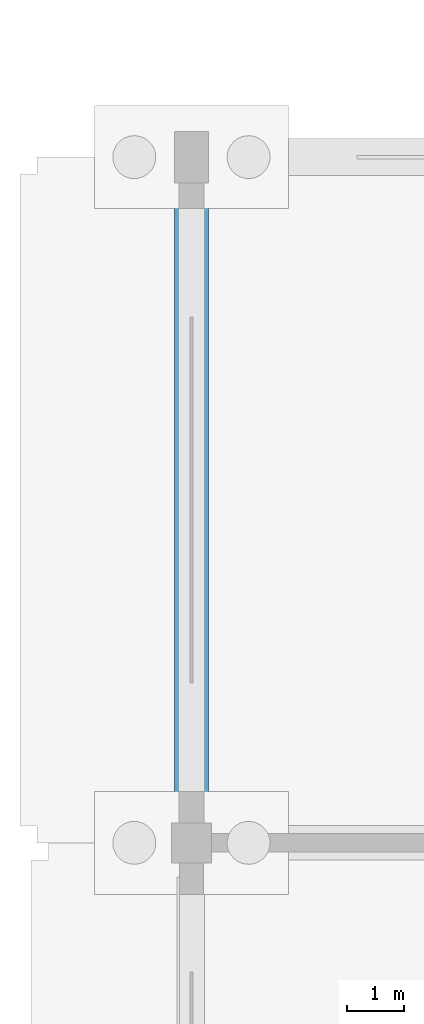
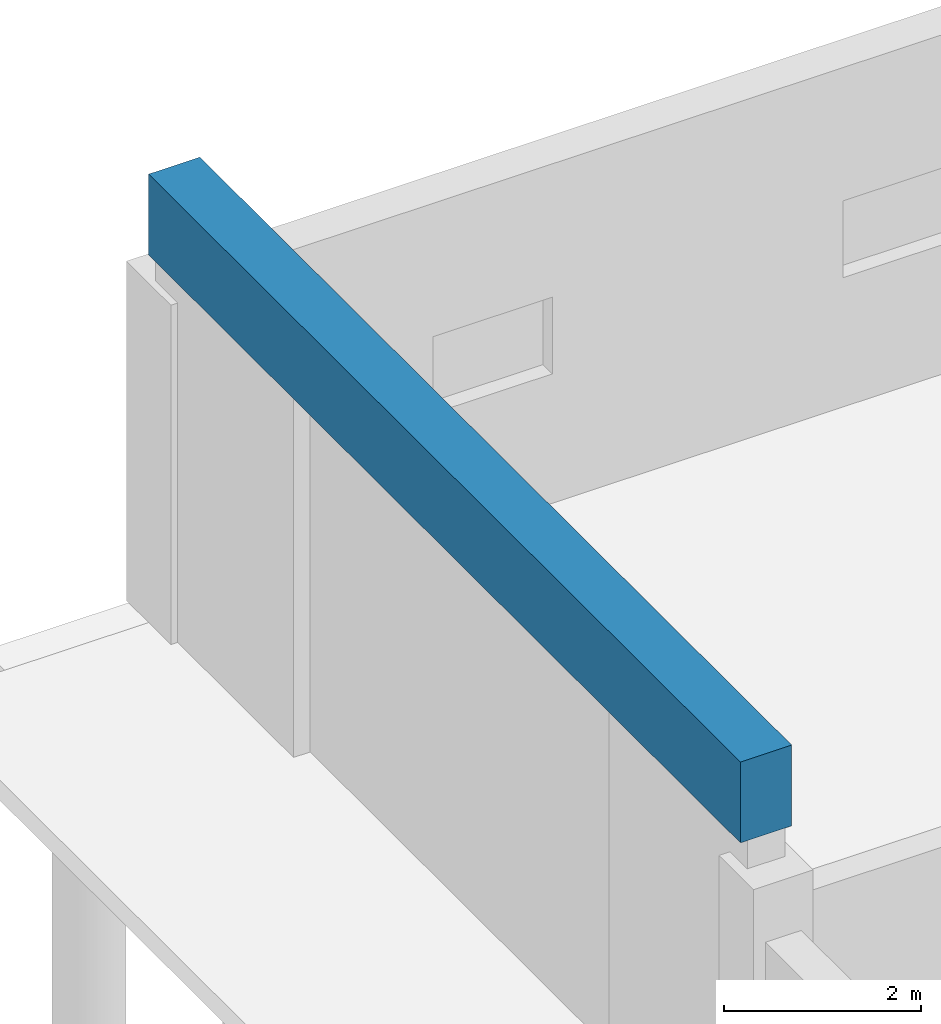
# One storey, part 46 of 77: 1 beam.
"""IFC4 building model written with IfcOpenShell, lengths in metres."""

from ifc_helpers import new_model, si_unit, direction, frame, origin, origin_2d, place, context, subcontext, project, spatial, rectangle, extrude, material, material_profile, profile_set, type_object, element, save


model = new_model("IFC4")

# Units and contexts
model_context = context("Model", 3, precision=1e-05, world=origin(), true_north=direction((0.0, 1.0)))
body_context = subcontext(model_context, "Body", "Model", "MODEL_VIEW")
ifc_project = project(units=[si_unit("LENGTHUNIT", "METRE"), si_unit("AREAUNIT", "SQUARE_METRE"), si_unit("VOLUMEUNIT", "CUBIC_METRE"), si_unit("PLANEANGLEUNIT", "RADIAN"), si_unit("MASSUNIT", "GRAM", prefix="KILO")], contexts=[model_context])

# Site, building, storey
site_placement = place(None, origin())
site = spatial("IfcSite", under=ifc_project, at=site_placement, CompositionType="ELEMENT")
building_placement = place(site_placement, origin())
building = spatial("IfcBuilding", under=site, at=building_placement, Name="Zilviju Railside Exhibition Hall", CompositionType="ELEMENT")
storey_placement = place(building_placement, origin())
storey = spatial("IfcBuildingStorey", under=building, at=storey_placement, Name="L01", CompositionType="ELEMENT", Elevation=0.0)

# Beam
ifc_material = material(Name="Concrete C40/50", Category="concrete")
ifc_material_profile = material_profile(ifc_material, rectangle(XDim=0.60009765625, YDim=1.0, at=origin_2d()), Name="RC BEAM 600x1000")
ifc_profile_set = profile_set([ifc_material_profile], Name="Concrete C40/50")
beam_type = type_object("IfcBeamType", Name="BM-RC-600x1000", PredefinedType="BEAM", material=ifc_profile_set)
beam_placement = place(storey_placement, frame((0.0, 138.0, 5.050048828125), z_axis=(0.0, 1.0, 0.0), x_axis=(-1.0, 0.0, 0.0)))
element("IfcBeam", 1, at=beam_placement, inside=storey, type_object=beam_type, Name="Eave & Portal Spandrel Lintel 001", PredefinedType="BEAM", context=body_context, shape_type="SweptSolid", body=[
    extrude(rectangle(XDim=0.60009765625, YDim=1.0, at=origin_2d()), origin(), (0.0, 0.0, 1.0), 12.0),
])

save(model, "model.ifc")
